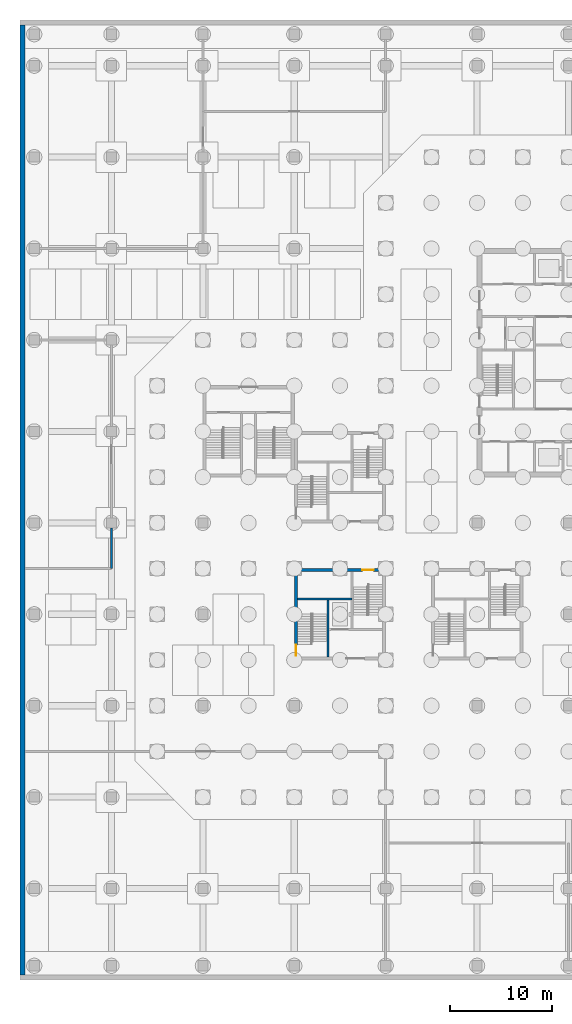
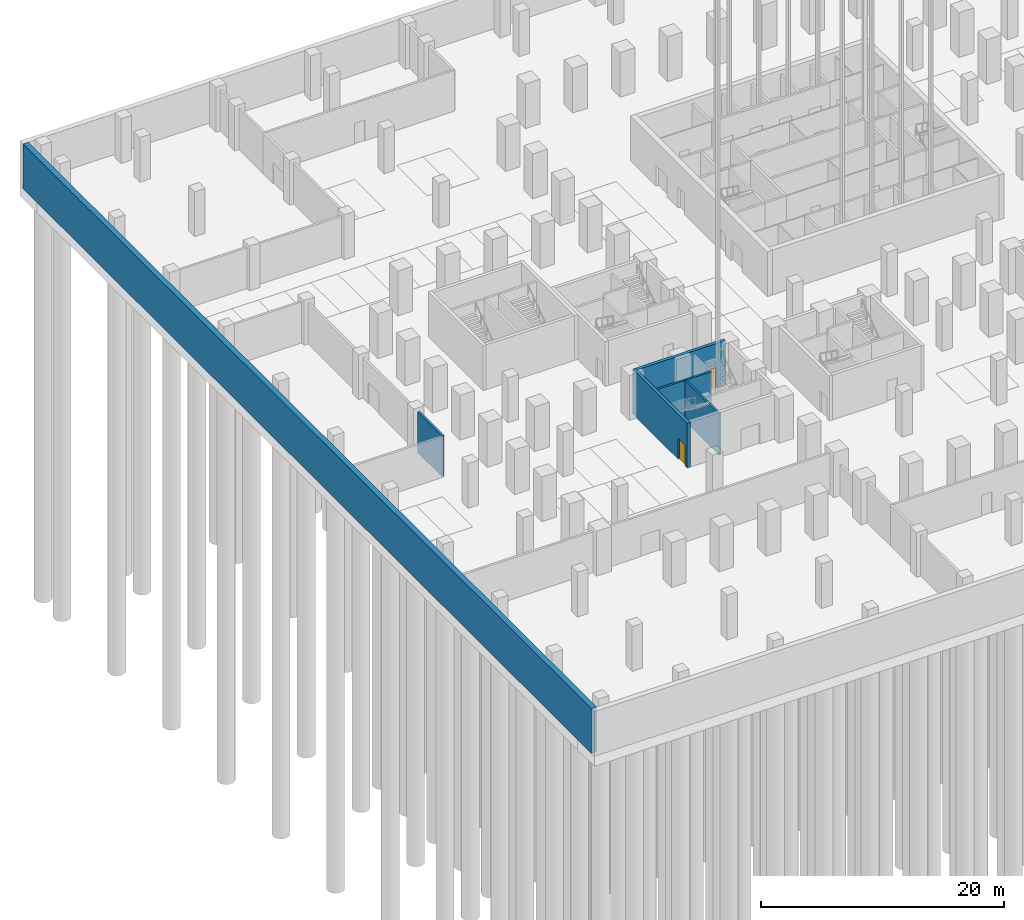
# One storey, part 13 of 37: 6 walls, 2 doors, 2 openings.
"""IFC4 building model written with IfcOpenShell, lengths in metres."""

from ifc_helpers import new_model, si_unit, direction, frame, frame_2d, origin, place, context, subcontext, project, spatial, rectangle, extrude, material, layer, layer_set, type_object, element, fill, save


model = new_model("IFC4")

# Units and contexts
model_context = context("Model", 3, precision=1e-05, world=origin(), true_north=direction((0.0, 1.0)))
body_context = subcontext(model_context, "Body", "Model", "MODEL_VIEW")
ifc_project = project(units=[si_unit("LENGTHUNIT", "METRE"), si_unit("AREAUNIT", "SQUARE_METRE"), si_unit("VOLUMEUNIT", "CUBIC_METRE"), si_unit("PLANEANGLEUNIT", "RADIAN"), si_unit("MASSUNIT", "GRAM", prefix="KILO")], contexts=[model_context])

# Site, building, storey
site_placement = place(None, origin())
site = spatial("IfcSite", under=ifc_project, at=site_placement, CompositionType="ELEMENT")
building_placement = place(site_placement, origin())
building = spatial("IfcBuilding", under=site, at=building_placement, Name="Quoin Convention Tower", CompositionType="ELEMENT")
storey_placement = place(building_placement, frame((0.0, 0.0, -9.0)))
storey = spatial("IfcBuildingStorey", under=building, at=storey_placement, Name="B2", CompositionType="ELEMENT", Elevation=-9.0)

# Walls
ifc_material_1 = material(Name="Plasterboard")
ifc_layer_1 = layer(ifc_material_1, 0.012451171875, Name="Finish")
ifc_material_2 = material(Name="Steel stud framing", Category="steel")
ifc_layer_2 = layer(ifc_material_2, 0.175048828125, Name="Structure")
ifc_layer_3 = layer(ifc_material_1, 0.012451171875, Name="Finish")
ifc_layer_set_1 = layer_set([ifc_layer_1, ifc_layer_2, ifc_layer_3], Name="Steel stud framing")
wall_type_1 = type_object("IfcWallType", Name="Block wall 200", PredefinedType="PARTITIONING", material=ifc_layer_set_1)
wall_1_placement = place(storey_placement, frame((9.0, 40.5, 0.0), z_axis=(0.0, 0.0, 1.0), x_axis=(0.0, 1.0, 0.0)))
element("IfcWall", 1, at=wall_1_placement, inside=storey, type_object=wall_type_1, Name="pw-B2-020", PredefinedType="PARTITIONING", context=body_context, shape_type="SweptSolid", body=[
    extrude(rectangle(XDim=4.0, YDim=0.199951171875, at=frame_2d((2.0, 0.0))), origin(), (0.0, 0.0, 1.0), 4.10009765625),
])
ifc_material_3 = material(Name="Concrete C50", Category="concrete")
ifc_layer_4 = layer(ifc_material_3, 0.199951171875)
ifc_layer_set_2 = layer_set([ifc_layer_4], Name="Concrete C50")
wall_type_2 = type_object("IfcWallType", Name="Core shaft wall", PredefinedType="SOLIDWALL", material=ifc_layer_set_2)
wall_2_placement = place(storey_placement, frame((27.300048828125, 37.5, 0.0), z_axis=(0.0, 0.0, 1.0), x_axis=(1.0, 0.0, 0.0)))
element("IfcWall", 2, at=wall_2_placement, inside=storey, type_object=wall_type_2, Name="cr-P4-B2-h6000_300", PredefinedType="SOLIDWALL", context=body_context, shape_type="SweptSolid", body=[
    extrude(rectangle(XDim=5.39990234375, YDim=0.199951171875, at=frame_2d((2.699951171875, 0.0))), origin(), (0.0, 0.0, 1.0), 4.10009765625),
])
wall_3_placement = place(storey_placement, frame((30.300048828125, 31.800048828125, 0.0), z_axis=(0.0, 0.0, 1.0), x_axis=(0.0, 1.0, 0.0)))
element("IfcWall", 3, at=wall_3_placement, inside=storey, type_object=wall_type_2, Name="cr-P4-B2-v3300_300", PredefinedType="SOLIDWALL", context=body_context, shape_type="SweptSolid", body=[
    extrude(rectangle(XDim=5.699951171875, YDim=0.199951171875, at=frame_2d((2.85009765625, 0.0))), origin(), (0.0, 0.0, 1.0), 4.10009765625),
])

# Wall, opening, door
ifc_material_4 = material(Name="Concrete C100 (100 MPa)", Category="concrete")
ifc_layer_5 = layer(ifc_material_4, 0.300048828125)
ifc_layer_set_3 = layer_set([ifc_layer_5], Name="Concrete C100 (100 MPa)")
wall_type_3 = type_object("IfcWallType", Name="RC CORE WALL 300 C100", PredefinedType="SHEAR", material=ifc_layer_set_3)
wall_4_placement = place(storey_placement, frame((27.300048828125, 40.35009765625, 0.0), z_axis=(0.0, 0.0, 1.0), x_axis=(1.0, 0.0, 0.0)))
wall_4 = element("IfcWall", 4, at=wall_4_placement, inside=storey, type_object=wall_type_3, Name="cwl-P4-B2-N", PredefinedType="SHEAR", context=body_context, shape_type="SweptSolid", body=[
    extrude(rectangle(XDim=8.39990234375, YDim=0.300048828125, at=frame_2d((4.199951171875, 0.0))), origin(), (0.0, 0.0, 1.0), 4.5),
])
opening_1_placement = place(wall_4_placement, frame((6.39990234375, 0.0, 0.0)))
opening_1 = element("IfcOpeningElement", 5, at=opening_1_placement, cuts=wall_4, Name="Opening SD8", PredefinedType="OPENING", context=body_context, shape_type="SweptSolid", body=[
    extrude(rectangle(XDim=1.10009765625, YDim=2.10009765625, at=frame_2d((0.550048828125, 1.050048828125))), frame((0.0, 0.159912109375, 0.0), z_axis=(0.0, -1.0, 0.0), x_axis=(1.0, 0.0, 0.0)), (0.0, 0.0, 1.0), 0.320068359375),
])
ifc_material_5 = material(Name="Steel door leaf", Category="steel")
door_type = type_object("IfcDoorType", Name="Stair door 1100 x 2100", OperationType="SINGLE_SWING_RIGHT", PredefinedType="DOOR", material=ifc_material_5)
door_1_placement = place(opening_1_placement, frame((1.10009765625, 0.0, 0.0), z_axis=(0.0, 0.0, 1.0), x_axis=(-1.0, 0.0, 0.0)))
door_1 = element("IfcDoor", 6, at=door_1_placement, inside=storey, type_object=door_type, Name="cd-P4-B2-SB-N", OperationType="SINGLE_SWING_LEFT", OverallHeight=2.10009765625, OverallWidth=1.10009765625, PredefinedType="DOOR", context=body_context, shape_type="SweptSolid", body=[
    extrude(rectangle(XDim=1.10009765625, YDim=2.10009765625, at=frame_2d((0.550048828125, 1.050048828125))), frame((0.0, 0.02490234375, 0.0), z_axis=(0.0, -1.0, 0.0), x_axis=(1.0, 0.0, 0.0)), (0.0, 0.0, 1.0), 0.050048828125),
])
fill(opening_1, door_1)

wall_5_placement = place(storey_placement, frame((27.14990234375, 31.5, 0.0), z_axis=(0.0, 0.0, 1.0), x_axis=(0.0, 1.0, 0.0)))
wall_5 = element("IfcWall", 7, at=wall_5_placement, inside=storey, type_object=wall_type_3, Name="cwl-P4-B2-W", PredefinedType="SHEAR", context=body_context, shape_type="SweptSolid", body=[
    extrude(rectangle(XDim=9.0, YDim=0.300048828125, at=frame_2d((4.5, 0.0))), origin(), (0.0, 0.0, 1.0), 4.5),
])
opening_2_placement = place(wall_5_placement, frame((0.39990234375, 0.0, 0.0)))
opening_2 = element("IfcOpeningElement", 8, at=opening_2_placement, cuts=wall_5, Name="Opening SD7", PredefinedType="OPENING", context=body_context, shape_type="SweptSolid", body=[
    extrude(rectangle(XDim=1.10009765625, YDim=2.10009765625, at=frame_2d((0.550048828125, 1.050048828125))), frame((0.0, 0.159912109375, 0.0), z_axis=(0.0, -1.0, 0.0), x_axis=(1.0, 0.0, 0.0)), (0.0, 0.0, 1.0), 0.320068359375),
])
door_2_placement = place(opening_2_placement, frame((1.10009765625, 0.0, 0.0), z_axis=(0.0, 0.0, 1.0), x_axis=(-1.0, 0.0, 0.0)))
door_2 = element("IfcDoor", 9, at=door_2_placement, inside=storey, type_object=door_type, Name="cd-P4-B2-SA-W", OperationType="SINGLE_SWING_RIGHT", OverallHeight=2.10009765625, OverallWidth=1.10009765625, PredefinedType="DOOR", context=body_context, shape_type="SweptSolid", body=[
    extrude(rectangle(XDim=1.10009765625, YDim=2.10009765625, at=frame_2d((0.550048828125, 1.050048828125))), frame((0.0, 0.02490234375, 0.0), z_axis=(0.0, -1.0, 0.0), x_axis=(1.0, 0.0, 0.0)), (0.0, 0.0, 1.0), 0.050048828125),
])
fill(opening_2, door_2)

# Wall
ifc_layer_6 = layer(ifc_material_3, 0.5)
ifc_layer_set_4 = layer_set([ifc_layer_6], Name="Concrete C50")
wall_type_4 = type_object("IfcWallType", Name="RC RETAINING WALL 500 C50", PredefinedType="SOLIDWALL", material=ifc_layer_set_4)
wall_6_placement = place(storey_placement, frame((0.25, 0.5, -0.39990234375), z_axis=(0.0, 0.0, 1.0), x_axis=(0.0, 1.0, 0.0)))
element("IfcWall", 10, at=wall_6_placement, inside=storey, type_object=wall_type_4, Name="bsm-B2-W", PredefinedType="SOLIDWALL", context=body_context, shape_type="SweptSolid", body=[
    extrude(rectangle(XDim=93.5, YDim=0.5, at=frame_2d((46.75, 0.0))), origin(), (0.0, 0.0, 1.0), 4.5),
])

save(model, "model.ifc")
